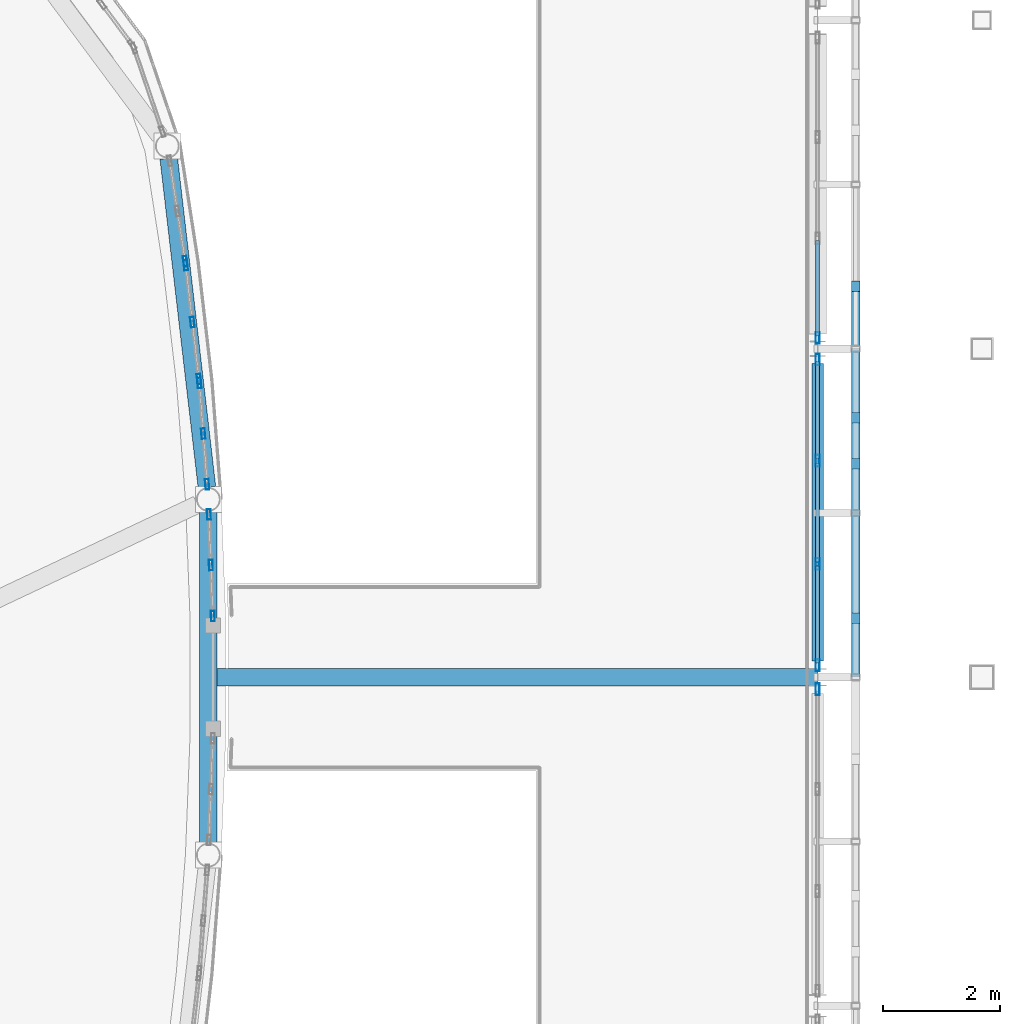
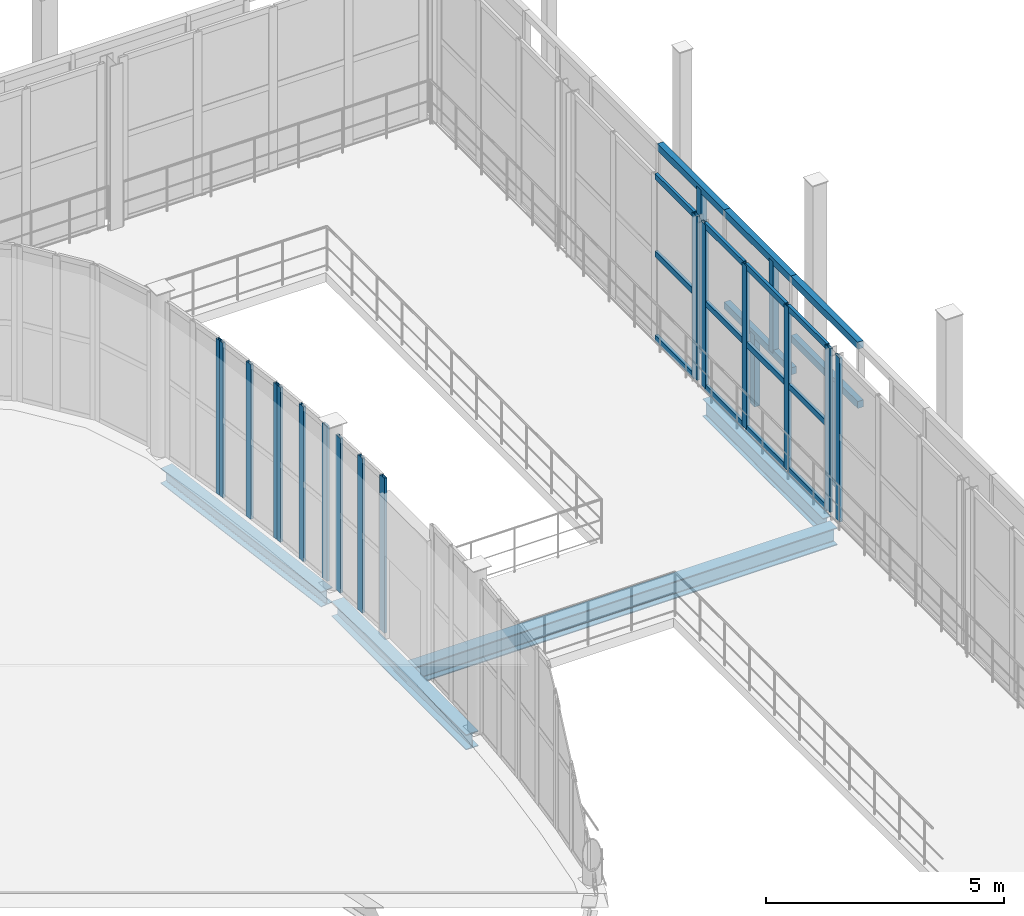
# One storey, part 48 of 121: 37 members, 4 beams, 7 elements without a shape of their own.
"""IFC4 building model written with IfcOpenShell, lengths in metres."""

from ifc_helpers import new_model, si_unit, direction, frame, origin, origin_2d, place, context, subcontext, project, spatial, rectangle, hollow_rectangle, i_section, extrude, material, layer, layer_set, material_profile, profile_set, type_object, element, aggregate, save


model = new_model("IFC4")

# Units and contexts
model_context = context("Model", 3, precision=1e-05, world=origin(), true_north=direction((0.0, 1.0)))
body_context = subcontext(model_context, "Body", "Model", "MODEL_VIEW")
ifc_project = project(units=[si_unit("LENGTHUNIT", "METRE"), si_unit("AREAUNIT", "SQUARE_METRE"), si_unit("VOLUMEUNIT", "CUBIC_METRE"), si_unit("PLANEANGLEUNIT", "RADIAN"), si_unit("MASSUNIT", "GRAM", prefix="KILO")], contexts=[model_context])

# Site, building, storey
site_placement = place(None, origin())
site = spatial("IfcSite", under=ifc_project, at=site_placement, CompositionType="ELEMENT")
building_placement = place(site_placement, origin())
building = spatial("IfcBuilding", under=site, at=building_placement, Name="Vinh Khe Railworks Police Headquarters", CompositionType="ELEMENT")
storey_placement = place(building_placement, frame((0.0, 0.0, 4.800048828125)))
storey = spatial("IfcBuildingStorey", under=building, at=storey_placement, Name="L01", CompositionType="ELEMENT", Elevation=4.800048828125)

# Members
ifc_material_1 = material(Name="Salvaged ironwood timber", Category="wood")
ifc_material_profile_1 = material_profile(ifc_material_1, rectangle(XDim=0.139892578125, YDim=0.179931640625, at=origin_2d()), Name="TIMBER 140x180")
ifc_profile_set_1 = profile_set([ifc_material_profile_1], Name="Salvaged ironwood timber")
member_type_1 = type_object("IfcMemberType", Name="MEM-QUILT-STILE", PredefinedType="CHORD", material=ifc_profile_set_1)
for number, where, z_axis, x_axis, name in (
    (1, (60.64990234375, 42.0, 4.119873046875), (0.0, 1.0, 0.0), (-1.0, 0.0, 0.0), "Salvaged Timber Quilt Transom E-L01-06-TOP"),
    (2, (60.64990234375, 42.0, 2.60400390625), (0.0, 1.0, 0.0), (-1.0, 0.0, 0.0), "Salvaged Timber Quilt Transom E-L01-06-M1"),
):
    element("IfcMember", number, at=place(storey_placement, frame(where, z_axis=z_axis, x_axis=x_axis)), inside=storey, type_object=member_type_1, Name=name, PredefinedType="CHORD", context=body_context, shape_type="SweptSolid", body=[
        extrude(rectangle(XDim=0.139892578125, YDim=0.179931640625, at=origin_2d()), origin(), (0.0, 0.0, 1.0), 2.800048828125),
    ])
member_1_placement = place(storey_placement, frame((60.64990234375, 43.008056640625, -0.080078125), z_axis=(0.0, 0.0, 1.0), x_axis=(1.0, 0.0, 0.0)))
element("IfcMember", 3, at=member_1_placement, inside=storey, type_object=member_type_1, Name="Salvaged Timber Quilt Stile E-L01-06-V1", PredefinedType="POST", context=body_context, shape_type="SweptSolid", body=[
    extrude(rectangle(XDim=0.139892578125, YDim=0.179931640625, at=origin_2d()), origin(), (0.0, 0.0, 1.0), 2.68408203125),
])
for number, where, z_axis, x_axis, name in (
    (4, (60.64990234375, 44.800048828125, 4.119873046875), (0.0, 1.0, 0.0), (-1.0, 0.0, 0.0), "Salvaged Timber Quilt Transom E-L01-07-TOP"),
    (5, (60.64990234375, 44.800048828125, 1.763916015625), (0.0, 1.0, 0.0), (-1.0, 0.0, 0.0), "Salvaged Timber Quilt Transom E-L01-07-M1"),
):
    element("IfcMember", number, at=place(storey_placement, frame(where, z_axis=z_axis, x_axis=x_axis)), inside=storey, type_object=member_type_1, Name=name, PredefinedType="CHORD", context=body_context, shape_type="SweptSolid", body=[
        extrude(rectangle(XDim=0.139892578125, YDim=0.179931640625, at=origin_2d()), origin(), (0.0, 0.0, 1.0), 2.800048828125),
    ])
member_2_placement = place(storey_placement, frame((60.64990234375, 46.424072265625, -0.080078125), z_axis=(0.0, 0.0, 1.0), x_axis=(1.0, 0.0, 0.0)))
element("IfcMember", 6, at=member_2_placement, inside=storey, type_object=member_type_1, Name="Salvaged Timber Quilt Stile E-L01-07-V1", PredefinedType="POST", context=body_context, shape_type="SweptSolid", body=[
    extrude(rectangle(XDim=0.139892578125, YDim=0.179931640625, at=origin_2d()), origin(), (0.0, 0.0, 1.0), 1.843994140625),
])
member_3_placement = place(storey_placement, frame((60.64990234375, 45.639892578125, 1.763916015625), z_axis=(0.0, 0.0, 1.0), x_axis=(1.0, 0.0, 0.0)))
element("IfcMember", 7, at=member_3_placement, inside=storey, type_object=member_type_1, Name="Salvaged Timber Quilt Stile E-L01-07-V2", PredefinedType="POST", context=body_context, shape_type="SweptSolid", body=[
    extrude(rectangle(XDim=0.139892578125, YDim=0.179931640625, at=origin_2d()), origin(), (0.0, 0.0, 1.0), 2.35595703125),
])
member_4_placement = place(storey_placement, frame((60.64990234375, 47.60009765625, 4.119873046875), z_axis=(0.0, 1.0, 0.0), x_axis=(-1.0, 0.0, 0.0)))
element("IfcMember", 8, at=member_4_placement, inside=storey, type_object=member_type_1, Name="Salvaged Timber Quilt Transom E-L01-08-TOP", PredefinedType="CHORD", context=body_context, shape_type="SweptSolid", body=[
    extrude(rectangle(XDim=0.139892578125, YDim=0.179931640625, at=origin_2d()), origin(), (0.0, 0.0, 1.0), 2.7998046875),
])
member_5_placement = place(storey_placement, frame((60.64990234375, 48.6640625, -0.080078125), z_axis=(0.0, 0.0, 1.0), x_axis=(1.0, 0.0, 0.0)))
element("IfcMember", 9, at=member_5_placement, inside=storey, type_object=member_type_1, Name="Salvaged Timber Quilt Stile E-L01-08-V1", PredefinedType="POST", context=body_context, shape_type="SweptSolid", body=[
    extrude(rectangle(XDim=0.139892578125, YDim=0.179931640625, at=origin_2d()), origin(), (0.0, 0.0, 1.0), 4.199951171875),
])

# Curtain wall, members
ifc_material_2 = material(Name="Anodised aluminium and acoustic laminated glass", Category="aluminium")
ifc_layer_1 = layer(ifc_material_2, 0.159912109375)
ifc_layer_set_1 = layer_set([ifc_layer_1], Name="Anodised aluminium and acoustic laminated glass")
curtain_wall_type_1 = type_object("IfcCurtainWallType", Name="CW-DRUM-CHORD", PredefinedType="USERDEFINED", material=ifc_layer_set_1)
curtain_wall_1_placement = place(storey_placement, origin())
curtain_wall_1 = element("IfcCurtainWall", 10, at=curtain_wall_1_placement, inside=storey, type_object=curtain_wall_type_1, Name="Elliptical Command Drum Glazing L01 Chord 6", ObjectType="DRUM FACADE GLAZING", PredefinedType="USERDEFINED")
ifc_material_3 = material(Name="Anodised aluminium 6063-T6", Category="aluminium")
ifc_material_profile_2 = material_profile(ifc_material_3, hollow_rectangle(XDim=0.06494140625, YDim=0.179931640625, WallThickness=0.0048828125, at=origin_2d()), Name="CW-M 65x180x5")
ifc_profile_set_2 = profile_set([ifc_material_profile_2], Name="Anodised aluminium 6063-T6")
member_type_2 = type_object("IfcMemberType", Name="MULL-CWM-02", PredefinedType="MULLION", material=ifc_profile_set_2)
member_6_placement = place(storey_placement, frame((49.68896484375, 43.043701171875, 0.0), z_axis=(0.0, 0.0, 1.0), x_axis=(-0.99925814209, -0.038511887338, 0.0)))
member_6 = element("IfcMember", 11, at=member_6_placement, type_object=member_type_2, Name="CW-02 mullion 1", PredefinedType="MULLION", context=body_context, shape_type="SweptSolid", body=[
    extrude(hollow_rectangle(XDim=0.06494140625, YDim=0.179931640625, WallThickness=0.0048828125, at=origin_2d()), origin(), (0.0, 0.0, 1.0), 3.969970703125),
])
member_7_placement = place(storey_placement, frame((49.655517578125, 43.91015625, 0.0), z_axis=(0.0, 0.0, 1.0), x_axis=(-0.99925814209, -0.038511887338, 0.0)))
member_7 = element("IfcMember", 12, at=member_7_placement, type_object=member_type_2, Name="CW-02 mullion 2", PredefinedType="MULLION", context=body_context, shape_type="SweptSolid", body=[
    extrude(hollow_rectangle(XDim=0.06494140625, YDim=0.179931640625, WallThickness=0.0048828125, at=origin_2d()), origin(), (0.0, 0.0, 1.0), 3.969970703125),
])
member_8_placement = place(storey_placement, frame((49.622314453125, 44.776611328125, 0.0), z_axis=(0.0, 0.0, 1.0), x_axis=(-0.99925814209, -0.038511887338, 0.0)))
member_8 = element("IfcMember", 13, at=member_8_placement, type_object=member_type_2, Name="CW-02 mullion 3", PredefinedType="MULLION", context=body_context, shape_type="SweptSolid", body=[
    extrude(hollow_rectangle(XDim=0.06494140625, YDim=0.179931640625, WallThickness=0.0048828125, at=origin_2d()), origin(), (0.0, 0.0, 1.0), 3.969970703125),
])
aggregate(curtain_wall_1, [member_6, member_7, member_8])

curtain_wall_2_placement = place(storey_placement, origin())
curtain_wall_2 = element("IfcCurtainWall", 14, at=curtain_wall_2_placement, inside=storey, type_object=curtain_wall_type_1, Name="Elliptical Command Drum Glazing L01 Chord 7", ObjectType="DRUM FACADE GLAZING", PredefinedType="USERDEFINED")
member_9_placement = place(storey_placement, frame((49.5927734375, 45.287109375, 0.0), z_axis=(0.0, 0.0, 1.0), x_axis=(-0.997033261905, -0.076971908223, 0.0)))
member_9 = element("IfcMember", 15, at=member_9_placement, type_object=member_type_2, Name="CW-02 mullion 1", PredefinedType="MULLION", context=body_context, shape_type="SweptSolid", body=[
    extrude(hollow_rectangle(XDim=0.06494140625, YDim=0.179931640625, WallThickness=0.0048828125, at=origin_2d()), origin(), (0.0, 0.0, 1.0), 3.969970703125),
])
member_10_placement = place(storey_placement, frame((49.52587890625, 46.151611328125, 0.0), z_axis=(0.0, 0.0, 1.0), x_axis=(-0.997033261905, -0.076971908223, 0.0)))
member_10 = element("IfcMember", 16, at=member_10_placement, type_object=member_type_2, Name="CW-02 mullion 2", PredefinedType="MULLION", context=body_context, shape_type="SweptSolid", body=[
    extrude(hollow_rectangle(XDim=0.06494140625, YDim=0.179931640625, WallThickness=0.0048828125, at=origin_2d()), origin(), (0.0, 0.0, 1.0), 3.969970703125),
])
member_11_placement = place(storey_placement, frame((49.459228515625, 47.01611328125, 0.0), z_axis=(0.0, 0.0, 1.0), x_axis=(-0.997033261905, -0.076971908223, 0.0)))
member_11 = element("IfcMember", 17, at=member_11_placement, type_object=member_type_2, Name="CW-02 mullion 3", PredefinedType="MULLION", context=body_context, shape_type="SweptSolid", body=[
    extrude(hollow_rectangle(XDim=0.06494140625, YDim=0.179931640625, WallThickness=0.0048828125, at=origin_2d()), origin(), (0.0, 0.0, 1.0), 3.969970703125),
])
aggregate(curtain_wall_2, [member_9, member_10, member_11])

curtain_wall_3_placement = place(storey_placement, origin())
curtain_wall_3 = element("IfcCurtainWall", 18, at=curtain_wall_3_placement, inside=storey, type_object=curtain_wall_type_1, Name="Elliptical Command Drum Glazing L01 Chord 8", ObjectType="DRUM FACADE GLAZING", PredefinedType="USERDEFINED")
member_12_placement = place(storey_placement, frame((49.452880859375, 47.080810546875, 0.0), z_axis=(0.0, 0.0, 1.0), x_axis=(-0.993328656296, -0.115317737498, 0.0)))
member_12 = element("IfcMember", 19, at=member_12_placement, type_object=member_type_2, Name="CW-02 mullion 1", PredefinedType="MULLION", context=body_context, shape_type="SweptSolid", body=[
    extrude(hollow_rectangle(XDim=0.06494140625, YDim=0.179931640625, WallThickness=0.0048828125, at=origin_2d()), origin(), (0.0, 0.0, 1.0), 3.969970703125),
])
member_13_placement = place(storey_placement, frame((49.340087890625, 48.052978515625, 0.0), z_axis=(0.0, 0.0, 1.0), x_axis=(-0.993328656296, -0.115317737498, 0.0)))
member_13 = element("IfcMember", 20, at=member_13_placement, type_object=member_type_2, Name="CW-02 mullion 2", PredefinedType="MULLION", context=body_context, shape_type="SweptSolid", body=[
    extrude(hollow_rectangle(XDim=0.06494140625, YDim=0.179931640625, WallThickness=0.0048828125, at=origin_2d()), origin(), (0.0, 0.0, 1.0), 3.969970703125),
])
member_14_placement = place(storey_placement, frame((49.227294921875, 49.025146484375, 0.0), z_axis=(0.0, 0.0, 1.0), x_axis=(-0.993328656296, -0.115317737498, 0.0)))
member_14 = element("IfcMember", 21, at=member_14_placement, type_object=member_type_2, Name="CW-02 mullion 3", PredefinedType="MULLION", context=body_context, shape_type="SweptSolid", body=[
    extrude(hollow_rectangle(XDim=0.06494140625, YDim=0.179931640625, WallThickness=0.0048828125, at=origin_2d()), origin(), (0.0, 0.0, 1.0), 3.969970703125),
])
aggregate(curtain_wall_3, [member_12, member_13, member_14])

# Curtain wall, member
curtain_wall_4_placement = place(storey_placement, origin())
curtain_wall_4 = element("IfcCurtainWall", 22, at=curtain_wall_4_placement, inside=storey, type_object=curtain_wall_type_1, Name="Elliptical Command Drum Glazing L01 Chord 9", ObjectType="DRUM FACADE GLAZING", PredefinedType="USERDEFINED")
member_15_placement = place(storey_placement, frame((49.218505859375, 49.089599609375, 0.0), z_axis=(0.0, 0.0, 1.0), x_axis=(-0.988150267331, -0.153489573502, 0.0)))
member_15 = element("IfcMember", 23, at=member_15_placement, type_object=member_type_2, Name="CW-02 mullion 1", PredefinedType="MULLION", context=body_context, shape_type="SweptSolid", body=[
    extrude(hollow_rectangle(XDim=0.06494140625, YDim=0.179931640625, WallThickness=0.0048828125, at=origin_2d()), origin(), (0.0, 0.0, 1.0), 3.969970703125),
])
aggregate(curtain_wall_4, [member_15])

ifc_material_4 = material(Name="Anodised aluminium and low-iron glass", Category="aluminium")
ifc_layer_2 = layer(ifc_material_4, 0.179931640625)
ifc_layer_set_2 = layer_set([ifc_layer_2], Name="Anodised aluminium and low-iron glass")
curtain_wall_type_2 = type_object("IfcCurtainWallType", Name="CW-CUBE-UNIT", PredefinedType="USERDEFINED", material=ifc_layer_set_2)
curtain_wall_5_placement = place(storey_placement, origin())
curtain_wall_5 = element("IfcCurtainWall", 24, at=curtain_wall_5_placement, inside=storey, type_object=curtain_wall_type_2, Name="Entrance Hall Curtain Wall L01 E-3", ObjectType="UNITISED GLAZING", PredefinedType="USERDEFINED")
ifc_material_profile_3 = material_profile(ifc_material_3, hollow_rectangle(XDim=0.070068359375, YDim=0.199951171875, WallThickness=0.0048828125, at=origin_2d()), Name="CW-M 70x200x5")
ifc_profile_set_3 = profile_set([ifc_material_profile_3], Name="Anodised aluminium 6063-T6")
member_type_3 = type_object("IfcMemberType", Name="MULL-CWM-03", PredefinedType="MULLION", material=ifc_profile_set_3)
member_16_placement = place(storey_placement, frame((60.0, 41.794921875, 0.0), z_axis=(0.0, 0.0, 1.0), x_axis=(-1.0, 0.0, 0.0)))
member_16 = element("IfcMember", 25, at=member_16_placement, type_object=member_type_3, Name="CW-01 mullion 4", PredefinedType="MULLION", context=body_context, shape_type="SweptSolid", body=[
    extrude(hollow_rectangle(XDim=0.070068359375, YDim=0.199951171875, WallThickness=0.0048828125, at=origin_2d()), origin(), (0.0, 0.0, 1.0), 4.199951171875),
])
aggregate(curtain_wall_5, [member_16])

# Curtain wall, members
curtain_wall_6_placement = place(storey_placement, origin())
curtain_wall_6 = element("IfcCurtainWall", 26, at=curtain_wall_6_placement, inside=storey, type_object=curtain_wall_type_2, Name="Entrance Hall Curtain Wall L01 E-4", ObjectType="UNITISED GLAZING", PredefinedType="USERDEFINED")
member_17_placement = place(storey_placement, frame((60.0, 42.205078125, 0.0), z_axis=(0.0, 0.0, 1.0), x_axis=(-1.0, 0.0, 0.0)))
member_17 = element("IfcMember", 27, at=member_17_placement, type_object=member_type_3, Name="CW-01 mullion 1", PredefinedType="MULLION", context=body_context, shape_type="SweptSolid", body=[
    extrude(hollow_rectangle(XDim=0.070068359375, YDim=0.199951171875, WallThickness=0.0048828125, at=origin_2d()), origin(), (0.0, 0.0, 1.0), 4.199951171875),
])
member_18_placement = place(storey_placement, frame((60.0, 43.929931640625, 0.0), z_axis=(0.0, 0.0, 1.0), x_axis=(-1.0, 0.0, 0.0)))
member_18 = element("IfcMember", 28, at=member_18_placement, type_object=member_type_3, Name="CW-01 mullion 2", PredefinedType="MULLION", context=body_context, shape_type="SweptSolid", body=[
    extrude(hollow_rectangle(XDim=0.070068359375, YDim=0.199951171875, WallThickness=0.0048828125, at=origin_2d()), origin(), (0.0, 0.0, 1.0), 4.199951171875),
])
member_19_placement = place(storey_placement, frame((60.0, 45.68994140625, 0.0), z_axis=(0.0, 0.0, 1.0), x_axis=(-1.0, 0.0, 0.0)))
member_19 = element("IfcMember", 29, at=member_19_placement, type_object=member_type_3, Name="CW-01 mullion 3", PredefinedType="MULLION", context=body_context, shape_type="SweptSolid", body=[
    extrude(hollow_rectangle(XDim=0.070068359375, YDim=0.199951171875, WallThickness=0.0048828125, at=origin_2d()), origin(), (0.0, 0.0, 1.0), 4.199951171875),
])
member_20_placement = place(storey_placement, frame((60.0, 47.4150390625, 0.0), z_axis=(0.0, 0.0, 1.0), x_axis=(-1.0, 0.0, 0.0)))
member_20 = element("IfcMember", 30, at=member_20_placement, type_object=member_type_3, Name="CW-01 mullion 4", PredefinedType="MULLION", context=body_context, shape_type="SweptSolid", body=[
    extrude(hollow_rectangle(XDim=0.070068359375, YDim=0.199951171875, WallThickness=0.0048828125, at=origin_2d()), origin(), (0.0, 0.0, 1.0), 4.199951171875),
])

# Curtain wall, member
curtain_wall_7_placement = place(storey_placement, origin())
curtain_wall_7 = element("IfcCurtainWall", 31, at=curtain_wall_7_placement, inside=storey, type_object=curtain_wall_type_2, Name="Entrance Hall Curtain Wall L01 E-5", ObjectType="UNITISED GLAZING", PredefinedType="USERDEFINED")
member_21_placement = place(storey_placement, frame((60.0, 47.784912109375, 0.0), z_axis=(0.0, 0.0, 1.0), x_axis=(-1.0, 0.0, 0.0)))
member_21 = element("IfcMember", 32, at=member_21_placement, type_object=member_type_3, Name="CW-01 mullion 1", PredefinedType="MULLION", context=body_context, shape_type="SweptSolid", body=[
    extrude(hollow_rectangle(XDim=0.070068359375, YDim=0.199951171875, WallThickness=0.0048828125, at=origin_2d()), origin(), (0.0, 0.0, 1.0), 4.199951171875),
])

# Beams
ifc_material_5 = material(Name="Steel S355JR", Category="steel")
ifc_material_profile_4 = material_profile(ifc_material_5, i_section(OverallWidth=0.300048828125, OverallDepth=0.389892578125, WebThickness=0.010986328125, FlangeThickness=0.01904296875, FilletRadius=0.027099609375, at=origin_2d()), Name="HEA 400")
ifc_profile_set_4 = profile_set([ifc_material_profile_4], Name="Steel S355JR")
beam_type_1 = type_object("IfcBeamType", Name="Steel Girder HEA 400", PredefinedType="BEAM", material=ifc_profile_set_4)
beam_1_placement = place(storey_placement, frame((49.6123046875, 39.176513671875, -0.43505859375), z_axis=(0.0, 1.0, 0.0), x_axis=(-1.0, 0.0, 0.0)))
element("IfcBeam", 33, at=beam_1_placement, inside=storey, type_object=beam_type_1, Name="Drum Ring Girder BM-L01-DRUM-SB-14-0720", PredefinedType="BEAM", context=body_context, shape_type="SweptSolid", body=[
    extrude(i_section(OverallWidth=0.300048828125, OverallDepth=0.389892578125, WebThickness=0.010986328125, FlangeThickness=0.01904296875, FilletRadius=0.027099609375, at=origin_2d()), origin(), (0.0, 0.0, 1.0), 5.64697265625),
])
beam_2_placement = place(storey_placement, frame((49.58837890625, 45.2392578125, -0.43505859375), z_axis=(-0.115341149959, 0.993325938011, 0.0), x_axis=(-0.993325938011, -0.115341149959, 0.0)))
element("IfcBeam", 34, at=beam_2_placement, inside=storey, type_object=beam_type_1, Name="Drum Ring Girder BM-L01-DRUM-SB-14-0721", PredefinedType="BEAM", context=body_context, shape_type="SweptSolid", body=[
    extrude(i_section(OverallWidth=0.300048828125, OverallDepth=0.389892578125, WebThickness=0.010986328125, FlangeThickness=0.01904296875, FilletRadius=0.027099609375, at=origin_2d()), origin(), (0.0, 0.0, 1.0), 5.647216796875),
])
ifc_material_profile_5 = material_profile(ifc_material_5, i_section(OverallWidth=0.300048828125, OverallDepth=0.449951171875, WebThickness=0.013916015625, FlangeThickness=0.02587890625, FilletRadius=0.027099609375, at=origin_2d()), Name="HEB 450")
ifc_profile_set_5 = profile_set([ifc_material_profile_5], Name="Steel S355JR")
beam_type_2 = type_object("IfcBeamType", Name="Steel Girder HEB 450", PredefinedType="BEAM", material=ifc_profile_set_5)
beam_3_placement = place(storey_placement, frame((49.6123046875, 42.0, -0.465087890625), z_axis=(1.0, 0.0, 0.0), x_axis=(0.0, 1.0, 0.0)))
element("IfcBeam", 35, at=beam_3_placement, inside=storey, type_object=beam_type_2, Name="Concourse Link Bridge Girder BM-L01-LINK-SB-07-0730", PredefinedType="BEAM", context=body_context, shape_type="SweptSolid", body=[
    extrude(i_section(OverallWidth=0.300048828125, OverallDepth=0.449951171875, WebThickness=0.013916015625, FlangeThickness=0.02587890625, FilletRadius=0.027099609375, at=origin_2d()), origin(), (0.0, 0.0, 1.0), 10.3876953125),
])
ifc_material_profile_6 = material_profile(ifc_material_5, i_section(OverallWidth=0.18994140625, OverallDepth=0.449951171875, WebThickness=0.009521484375, FlangeThickness=0.0146484375, FilletRadius=0.02099609375, at=origin_2d()), Name="IPE 450")
ifc_profile_set_6 = profile_set([ifc_material_profile_6], Name="Steel S355JR")
beam_type_3 = type_object("IfcBeamType", Name="Steel Girder IPE 450", PredefinedType="BEAM", material=ifc_profile_set_6)
beam_4_placement = place(storey_placement, frame((60.0, 42.280029296875, -0.465087890625), z_axis=(0.0, 1.0, 0.0), x_axis=(-1.0, 0.0, 0.0)))
element("IfcBeam", 36, at=beam_4_placement, inside=storey, type_object=beam_type_3, Name="Girder BM-L01-NS-SB-20-0660", PredefinedType="BEAM", context=body_context, shape_type="SweptSolid", body=[
    extrude(i_section(OverallWidth=0.18994140625, OverallDepth=0.449951171875, WebThickness=0.009521484375, FlangeThickness=0.0146484375, FilletRadius=0.02099609375, at=origin_2d()), origin(), (0.0, 0.0, 1.0), 5.06494140625),
])

# Member
ifc_material_profile_7 = material_profile(ifc_material_3, hollow_rectangle(XDim=0.070068359375, YDim=0.14990234375, WallThickness=0.0048828125, at=origin_2d()), Name="CW-T 70x150x5")
ifc_profile_set_7 = profile_set([ifc_material_profile_7], Name="Anodised aluminium 6063-T6")
member_type_4 = type_object("IfcMemberType", Name="TRAN-CWT-03", PredefinedType="USERDEFINED", material=ifc_profile_set_7)
member_22_placement = place(storey_placement, frame((60.0, 42.239990234375, 0.034912109375), z_axis=(0.0, 1.0, 0.0), x_axis=(-1.0, 0.0, 0.0)))
member_22 = element("IfcMember", 37, at=member_22_placement, type_object=member_type_4, Name="CW-01 transom 1.1", ObjectType="TRANSOM", PredefinedType="USERDEFINED", context=body_context, shape_type="SweptSolid", body=[
    extrude(hollow_rectangle(XDim=0.070068359375, YDim=0.14990234375, WallThickness=0.0048828125, at=origin_2d()), origin(), (0.0, 0.0, 1.0), 1.655029296875),
])

member_23_placement = place(storey_placement, frame((60.0, 42.239990234375, 2.183837890625), z_axis=(0.0, 1.0, 0.0), x_axis=(-1.0, 0.0, 0.0)))
member_23 = element("IfcMember", 38, at=member_23_placement, type_object=member_type_4, Name="CW-01 transom 1.2", ObjectType="TRANSOM", PredefinedType="USERDEFINED", context=body_context, shape_type="SweptSolid", body=[
    extrude(hollow_rectangle(XDim=0.070068359375, YDim=0.14990234375, WallThickness=0.0048828125, at=origin_2d()), origin(), (0.0, 0.0, 1.0), 1.655029296875),
])

member_24_placement = place(storey_placement, frame((60.0, 42.239990234375, 4.1650390625), z_axis=(0.0, 1.0, 0.0), x_axis=(-1.0, 0.0, 0.0)))
member_24 = element("IfcMember", 39, at=member_24_placement, type_object=member_type_4, Name="CW-01 transom 1.3", ObjectType="TRANSOM", PredefinedType="USERDEFINED", context=body_context, shape_type="SweptSolid", body=[
    extrude(hollow_rectangle(XDim=0.070068359375, YDim=0.14990234375, WallThickness=0.0048828125, at=origin_2d()), origin(), (0.0, 0.0, 1.0), 1.655029296875),
])

member_25_placement = place(storey_placement, frame((60.0, 43.965087890625, 0.034912109375), z_axis=(0.0, 1.0, 0.0), x_axis=(-1.0, 0.0, 0.0)))
member_25 = element("IfcMember", 40, at=member_25_placement, type_object=member_type_4, Name="CW-01 transom 2.1", ObjectType="TRANSOM", PredefinedType="USERDEFINED", context=body_context, shape_type="SweptSolid", body=[
    extrude(hollow_rectangle(XDim=0.070068359375, YDim=0.14990234375, WallThickness=0.0048828125, at=origin_2d()), origin(), (0.0, 0.0, 1.0), 1.68994140625),
])

member_26_placement = place(storey_placement, frame((60.0, 43.965087890625, 2.183837890625), z_axis=(0.0, 1.0, 0.0), x_axis=(-1.0, 0.0, 0.0)))
member_26 = element("IfcMember", 41, at=member_26_placement, type_object=member_type_4, Name="CW-01 transom 2.2", ObjectType="TRANSOM", PredefinedType="USERDEFINED", context=body_context, shape_type="SweptSolid", body=[
    extrude(hollow_rectangle(XDim=0.070068359375, YDim=0.14990234375, WallThickness=0.0048828125, at=origin_2d()), origin(), (0.0, 0.0, 1.0), 1.68994140625),
])

member_27_placement = place(storey_placement, frame((60.0, 43.965087890625, 4.1650390625), z_axis=(0.0, 1.0, 0.0), x_axis=(-1.0, 0.0, 0.0)))
member_27 = element("IfcMember", 42, at=member_27_placement, type_object=member_type_4, Name="CW-01 transom 2.3", ObjectType="TRANSOM", PredefinedType="USERDEFINED", context=body_context, shape_type="SweptSolid", body=[
    extrude(hollow_rectangle(XDim=0.070068359375, YDim=0.14990234375, WallThickness=0.0048828125, at=origin_2d()), origin(), (0.0, 0.0, 1.0), 1.68994140625),
])

member_28_placement = place(storey_placement, frame((60.0, 45.72509765625, 0.034912109375), z_axis=(0.0, 1.0, 0.0), x_axis=(-1.0, 0.0, 0.0)))
member_28 = element("IfcMember", 43, at=member_28_placement, type_object=member_type_4, Name="CW-01 transom 3.1", ObjectType="TRANSOM", PredefinedType="USERDEFINED", context=body_context, shape_type="SweptSolid", body=[
    extrude(hollow_rectangle(XDim=0.070068359375, YDim=0.14990234375, WallThickness=0.0048828125, at=origin_2d()), origin(), (0.0, 0.0, 1.0), 1.65478515625),
])

member_29_placement = place(storey_placement, frame((60.0, 45.72509765625, 2.183837890625), z_axis=(0.0, 1.0, 0.0), x_axis=(-1.0, 0.0, 0.0)))
member_29 = element("IfcMember", 44, at=member_29_placement, type_object=member_type_4, Name="CW-01 transom 3.2", ObjectType="TRANSOM", PredefinedType="USERDEFINED", context=body_context, shape_type="SweptSolid", body=[
    extrude(hollow_rectangle(XDim=0.070068359375, YDim=0.14990234375, WallThickness=0.0048828125, at=origin_2d()), origin(), (0.0, 0.0, 1.0), 1.65478515625),
])

member_30_placement = place(storey_placement, frame((60.0, 45.72509765625, 4.1650390625), z_axis=(0.0, 1.0, 0.0), x_axis=(-1.0, 0.0, 0.0)))
member_30 = element("IfcMember", 45, at=member_30_placement, type_object=member_type_4, Name="CW-01 transom 3.3", ObjectType="TRANSOM", PredefinedType="USERDEFINED", context=body_context, shape_type="SweptSolid", body=[
    extrude(hollow_rectangle(XDim=0.070068359375, YDim=0.14990234375, WallThickness=0.0048828125, at=origin_2d()), origin(), (0.0, 0.0, 1.0), 1.65478515625),
])

aggregate(curtain_wall_6, [member_17, member_18, member_19, member_20, member_22, member_23, member_24, member_25, member_26, member_27, member_28, member_29, member_30])

member_31_placement = place(storey_placement, frame((60.0, 47.820068359375, 0.034912109375), z_axis=(0.0, 1.0, 0.0), x_axis=(-1.0, 0.0, 0.0)))
member_31 = element("IfcMember", 46, at=member_31_placement, type_object=member_type_4, Name="CW-01 transom 1.1", ObjectType="TRANSOM", PredefinedType="USERDEFINED", context=body_context, shape_type="SweptSolid", body=[
    extrude(hollow_rectangle(XDim=0.070068359375, YDim=0.14990234375, WallThickness=0.0048828125, at=origin_2d()), origin(), (0.0, 0.0, 1.0), 1.623291015625),
])

member_32_placement = place(storey_placement, frame((60.0, 47.820068359375, 2.183837890625), z_axis=(0.0, 1.0, 0.0), x_axis=(-1.0, 0.0, 0.0)))
member_32 = element("IfcMember", 47, at=member_32_placement, type_object=member_type_4, Name="CW-01 transom 1.2", ObjectType="TRANSOM", PredefinedType="USERDEFINED", context=body_context, shape_type="SweptSolid", body=[
    extrude(hollow_rectangle(XDim=0.070068359375, YDim=0.14990234375, WallThickness=0.0048828125, at=origin_2d()), origin(), (0.0, 0.0, 1.0), 1.623291015625),
])

member_33_placement = place(storey_placement, frame((60.0, 47.820068359375, 4.1650390625), z_axis=(0.0, 1.0, 0.0), x_axis=(-1.0, 0.0, 0.0)))
member_33 = element("IfcMember", 48, at=member_33_placement, type_object=member_type_4, Name="CW-01 transom 1.3", ObjectType="TRANSOM", PredefinedType="USERDEFINED", context=body_context, shape_type="SweptSolid", body=[
    extrude(hollow_rectangle(XDim=0.070068359375, YDim=0.14990234375, WallThickness=0.0048828125, at=origin_2d()), origin(), (0.0, 0.0, 1.0), 1.623291015625),
])

aggregate(curtain_wall_7, [member_21, member_31, member_32, member_33])

save(model, "model.ifc")
